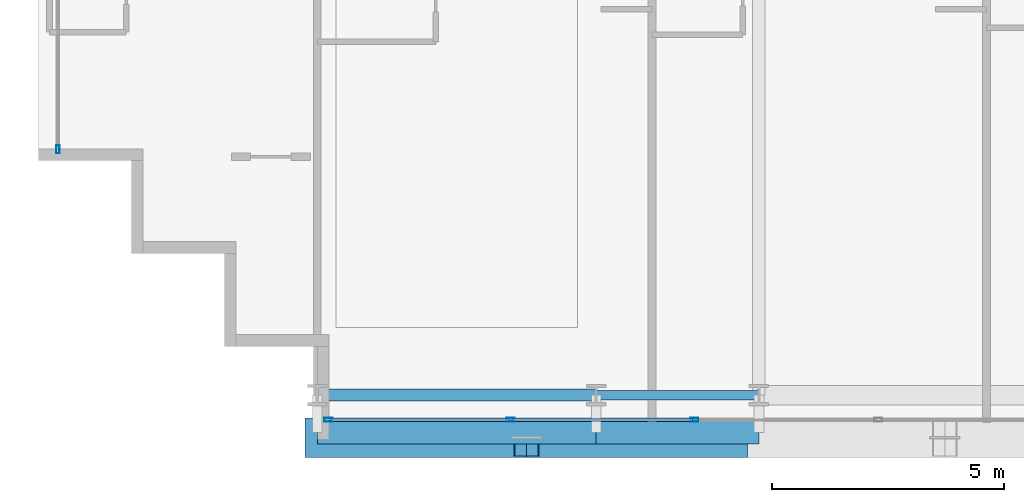
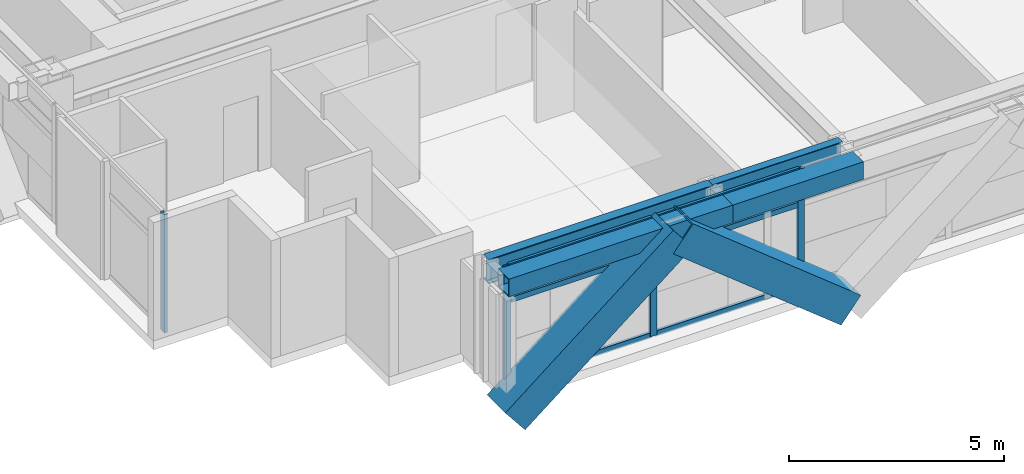
# One storey, part 2 of 35: 12 members, 4 beams, 2 elements without a shape of their own.
"""IFC4 building model written with IfcOpenShell, lengths in metres."""

from ifc_helpers import new_model, si_unit, direction, frame, origin, origin_2d, place, context, subcontext, project, spatial, hollow_rectangle, i_section, extrude, source, transform, mapped, material, layer, layer_set, material_profile, profile_set, type_object, element, aggregate, save


model = new_model("IFC4")

# Units and contexts
model_context = context("Model", 3, precision=1e-05, world=origin(), true_north=direction((0.0, 1.0)))
body_context = subcontext(model_context, "Body", "Model", "MODEL_VIEW")
ifc_project = project(units=[si_unit("LENGTHUNIT", "METRE"), si_unit("AREAUNIT", "SQUARE_METRE"), si_unit("VOLUMEUNIT", "CUBIC_METRE"), si_unit("PLANEANGLEUNIT", "RADIAN"), si_unit("MASSUNIT", "GRAM", prefix="KILO")], contexts=[model_context])

# Site, building, storey
site_placement = place(None, origin())
site = spatial("IfcSite", under=ifc_project, at=site_placement, CompositionType="ELEMENT")
building_placement = place(site_placement, origin())
building = spatial("IfcBuilding", under=site, at=building_placement, Name="Ocotamira Hotel", CompositionType="ELEMENT")
storey_placement = place(building_placement, frame((0.0, 0.0, 78.0)))
storey = spatial("IfcBuildingStorey", under=building, at=storey_placement, Name="L19", CompositionType="ELEMENT", Elevation=78.0)

# Beams
ifc_material_1 = material(Name="Steel ASTM A992 Grade 50", Category="steel")
ifc_material_profile_1 = material_profile(ifc_material_1, i_section(OverallWidth=0.256103515625, OverallDepth=0.693115234375, WebThickness=0.014404296875, FlangeThickness=0.023681640625, FilletRadius=0.01611328125, at=origin_2d()), Name="W27X114")
ifc_profile_set_1 = profile_set([ifc_material_profile_1], Name="Steel ASTM A992 Grade 50")
beam_type_1 = type_object("IfcBeamType", Name="BM-PRIM-W27X114", PredefinedType="BEAM", material=ifc_profile_set_1)
shared_shape_1 = source(origin(), body_context, "Body", "SweptSolid", [
    extrude(i_section(OverallWidth=0.256103515625, OverallDepth=0.693115234375, WebThickness=0.014404296875, FlangeThickness=0.023681640625, FilletRadius=0.01611328125, at=origin_2d()), origin(), (0.0, 0.0, 1.0), 6.0),
])
beam_1_placement = place(storey_placement, frame((14.0, 2.949951171875, 3.00341796875), z_axis=(1.0, 0.0, 0.0), x_axis=(0.0, 1.0, 0.0)))
element("IfcBeam", 1, at=beam_1_placement, inside=storey, type_object=beam_type_1, Name="L19 Girder Y2.95 X14-20", PredefinedType="BEAM", context=body_context, shape_type="MappedRepresentation", body=[
    mapped(shared_shape_1, transform((0.0, 0.0, 0.0), scale=1.0)),
])
ifc_material_profile_2 = material_profile(ifc_material_1, i_section(OverallWidth=0.2099609375, OverallDepth=0.537109375, WebThickness=0.010986328125, FlangeThickness=0.017333984375, FilletRadius=0.012939453125, at=origin_2d()), Name="W21X68")
ifc_profile_set_2 = profile_set([ifc_material_profile_2], Name="Steel ASTM A992 Grade 50")
beam_type_2 = type_object("IfcBeamType", Name="BM-SEC-W21X68", PredefinedType="JOIST", material=ifc_profile_set_2)
shared_shape_2 = source(origin(), body_context, "Body", "SweptSolid", [
    extrude(i_section(OverallWidth=0.2099609375, OverallDepth=0.537109375, WebThickness=0.010986328125, FlangeThickness=0.017333984375, FilletRadius=0.012939453125, at=origin_2d()), origin(), (0.0, 0.0, 1.0), 3.5),
])
beam_2_placement = place(storey_placement, frame((20.0, 2.949951171875, 3.08154296875), z_axis=(1.0, 0.0, 0.0), x_axis=(0.0, 1.0, 0.0)))
element("IfcBeam", 2, at=beam_2_placement, inside=storey, type_object=beam_type_2, Name="L19 Girder Y2.95 X20-23.5", PredefinedType="JOIST", context=body_context, shape_type="MappedRepresentation", body=[
    mapped(shared_shape_2, transform((0.0, 0.0, 0.0), scale=1.0)),
])
ifc_material_2 = material(Name="Steel ASTM A500 Grade C", Category="steel")
ifc_material_profile_3 = material_profile(ifc_material_2, hollow_rectangle(XDim=0.5, YDim=0.5, WallThickness=0.02001953125, at=origin_2d()), Name="HSS500X500X20")
ifc_profile_set_3 = profile_set([ifc_material_profile_3], Name="Steel ASTM A500 Grade C")
beam_type_3 = type_object("IfcBeamType", Name="BM-SPAN-HSS500", PredefinedType="USERDEFINED", material=ifc_profile_set_3)
shared_shape_3 = source(origin(), body_context, "Body", "SweptSolid", [
    extrude(hollow_rectangle(XDim=0.5, YDim=0.5, WallThickness=0.02001953125, at=origin_2d()), origin(), (0.0, 0.0, 1.0), 6.0),
])
beam_3_placement = place(storey_placement, frame((14.0, 2.14990234375, 3.10009765625), z_axis=(1.0, 0.0, 0.0), x_axis=(0.0, 1.0, 0.0)))
element("IfcBeam", 3, at=beam_3_placement, inside=storey, type_object=beam_type_3, Name="L19 Edge Spandrel S X14-20", ObjectType="SPANDREL", PredefinedType="USERDEFINED", context=body_context, shape_type="MappedRepresentation", body=[
    mapped(shared_shape_3, transform((0.0, 0.0, 0.0), scale=1.0)),
])
shared_shape_4 = source(origin(), body_context, "Body", "SweptSolid", [
    extrude(hollow_rectangle(XDim=0.5, YDim=0.5, WallThickness=0.02001953125, at=origin_2d()), origin(), (0.0, 0.0, 1.0), 3.5),
])
beam_4_placement = place(storey_placement, frame((20.0, 2.14990234375, 3.10009765625), z_axis=(1.0, 0.0, 0.0), x_axis=(0.0, 1.0, 0.0)))
element("IfcBeam", 4, at=beam_4_placement, inside=storey, type_object=beam_type_3, Name="L19 Edge Spandrel S X20-23.5", ObjectType="SPANDREL", PredefinedType="USERDEFINED", context=body_context, shape_type="MappedRepresentation", body=[
    mapped(shared_shape_4, transform((0.0, 0.0, 0.0), scale=1.0)),
])

# Members
ifc_material_3 = material(Name="Pale-metal coated steel ASTM A913 Grade 65", Category="steel")
ifc_material_profile_4 = material_profile(ifc_material_3, hollow_rectangle(XDim=0.85009765625, YDim=0.85009765625, WallThickness=0.035888671875, at=origin_2d()), Name="BOX850X850X36")
ifc_profile_set_4 = profile_set([ifc_material_profile_4], Name="Pale-metal coated steel ASTM A913 Grade 65")
member_type_1 = type_object("IfcMemberType", Name="MEM-EXO-BOX850", PredefinedType="BRACE", material=ifc_profile_set_4)
shared_shape_5 = source(origin(), body_context, "Body", "SweptSolid", [
    extrude(hollow_rectangle(XDim=0.85009765625, YDim=0.85009765625, WallThickness=0.035888671875, at=origin_2d()), origin(), (0.0, 0.0, 1.0), 5.762939453125),
])
for number, where, z_axis, x_axis, name in (
    (5, (14.0, 2.030029296875, -0.5), (0.780860543151, 0.0, 0.624705380279), (0.0, 1.0, 0.0), "L19 Exoskeleton Diagrid S0.1"),
    (6, (23.0, 2.030029296875, -0.5), (-0.780860543151, 0.0, 0.624705380279), (0.0, -1.0, 0.0), "L19 Exoskeleton Diagrid S0.2"),
):
    element("IfcMember", number, at=place(storey_placement, frame(where, z_axis=z_axis, x_axis=x_axis)), inside=storey, type_object=member_type_1, Name=name, PredefinedType="BRACE", context=body_context, shape_type="MappedRepresentation", body=[
        mapped(shared_shape_5, transform((0.0, 0.0, 0.0), scale=1.0)),
    ])

# Curtain wall, members
ifc_material_4 = material(Name="Anodised pale-metal aluminium and solar glass", Category="aluminium")
ifc_layer = layer(ifc_material_4, 0.179931640625)
ifc_layer_set = layer_set([ifc_layer], Name="Anodised pale-metal aluminium and solar glass")
curtain_wall_type = type_object("IfcCurtainWallType", Name="CW-SYS2-Z1", PredefinedType="NOTDEFINED", material=ifc_layer_set)
curtain_wall_1_placement = place(storey_placement, origin())
curtain_wall_1 = element("IfcCurtainWall", 7, at=curtain_wall_1_placement, inside=storey, type_object=curtain_wall_type, Name="L19 Curtain Wall CW-2 CW-L19-S1", PredefinedType="NOTDEFINED")
ifc_material_5 = material(Name="Anodised pale-metal aluminium 6063-T6", Category="aluminium")
ifc_material_profile_5 = material_profile(ifc_material_5, hollow_rectangle(XDim=0.074951171875, YDim=0.14990234375, WallThickness=0.006103515625, at=origin_2d()), Name="HSS150X75X6")
ifc_profile_set_5 = profile_set([ifc_material_profile_5], Name="Anodised pale-metal aluminium 6063-T6")
member_type_2 = type_object("IfcMemberType", Name="CWT-150X75", PredefinedType="USERDEFINED", material=ifc_profile_set_5)
shared_shape_6 = source(origin(), body_context, "Body", "SweptSolid", [
    extrude(hollow_rectangle(XDim=0.074951171875, YDim=0.14990234375, WallThickness=0.006103515625, at=origin_2d()), origin(), (0.0, 0.0, 1.0), 3.83544921875),
])
member_1_placement = place(storey_placement, frame((14.280029296875, 2.419921875, 0.03759765625), z_axis=(1.0, 0.0, 0.0), x_axis=(0.0, 1.0, 0.0)))
member_1 = element("IfcMember", 8, at=member_1_placement, type_object=member_type_2, Name="CW-2 transom 1.1", ObjectType="TRANSOM", PredefinedType="USERDEFINED", context=body_context, shape_type="MappedRepresentation", body=[
    mapped(shared_shape_6, transform((0.0, 0.0, 0.0), scale=1.0)),
])
member_2_placement = place(storey_placement, frame((14.280029296875, 2.419921875, 2.35009765625), z_axis=(1.0, 0.0, 0.0), x_axis=(0.0, 1.0, 0.0)))
member_2 = element("IfcMember", 9, at=member_2_placement, type_object=member_type_2, Name="CW-2 transom 1.2", ObjectType="TRANSOM", PredefinedType="USERDEFINED", context=body_context, shape_type="MappedRepresentation", body=[
    mapped(shared_shape_6, transform((0.0, 0.0, 0.0), scale=1.0)),
])
member_3_placement = place(storey_placement, frame((14.280029296875, 2.419921875, 3.3125), z_axis=(1.0, 0.0, 0.0), x_axis=(0.0, 1.0, 0.0)))
member_3 = element("IfcMember", 10, at=member_3_placement, type_object=member_type_2, Name="CW-2 transom 1.3", ObjectType="TRANSOM", PredefinedType="USERDEFINED", context=body_context, shape_type="MappedRepresentation", body=[
    mapped(shared_shape_6, transform((0.0, 0.0, 0.0), scale=1.0)),
])
shared_shape_7 = source(origin(), body_context, "Body", "SweptSolid", [
    extrude(hollow_rectangle(XDim=0.074951171875, YDim=0.14990234375, WallThickness=0.006103515625, at=origin_2d()), origin(), (0.0, 0.0, 1.0), 3.87548828125),
])
member_4_placement = place(storey_placement, frame((18.195556640625, 2.419921875, 0.03759765625), z_axis=(1.0, 0.0, 0.0), x_axis=(0.0, 1.0, 0.0)))
member_4 = element("IfcMember", 11, at=member_4_placement, type_object=member_type_2, Name="CW-2 transom 2.1", ObjectType="TRANSOM", PredefinedType="USERDEFINED", context=body_context, shape_type="MappedRepresentation", body=[
    mapped(shared_shape_7, transform((0.0, 0.0, 0.0), scale=1.0)),
])
member_5_placement = place(storey_placement, frame((18.195556640625, 2.419921875, 2.35009765625), z_axis=(1.0, 0.0, 0.0), x_axis=(0.0, 1.0, 0.0)))
member_5 = element("IfcMember", 12, at=member_5_placement, type_object=member_type_2, Name="CW-2 transom 2.2", ObjectType="TRANSOM", PredefinedType="USERDEFINED", context=body_context, shape_type="MappedRepresentation", body=[
    mapped(shared_shape_7, transform((0.0, 0.0, 0.0), scale=1.0)),
])
member_6_placement = place(storey_placement, frame((18.195556640625, 2.419921875, 3.3125), z_axis=(1.0, 0.0, 0.0), x_axis=(0.0, 1.0, 0.0)))
member_6 = element("IfcMember", 13, at=member_6_placement, type_object=member_type_2, Name="CW-2 transom 2.3", ObjectType="TRANSOM", PredefinedType="USERDEFINED", context=body_context, shape_type="MappedRepresentation", body=[
    mapped(shared_shape_7, transform((0.0, 0.0, 0.0), scale=1.0)),
])
ifc_material_profile_6 = material_profile(ifc_material_5, hollow_rectangle(XDim=0.080078125, YDim=0.179931640625, WallThickness=0.006103515625, at=origin_2d()), Name="HSS180X80X6")
ifc_profile_set_6 = profile_set([ifc_material_profile_6], Name="Anodised pale-metal aluminium 6063-T6")
member_type_3 = type_object("IfcMemberType", Name="CWM-180X75", PredefinedType="MULLION", material=ifc_profile_set_6)
shared_shape_8 = source(origin(), body_context, "Body", "SweptSolid", [
    extrude(hollow_rectangle(XDim=0.080078125, YDim=0.179931640625, WallThickness=0.006103515625, at=origin_2d()), origin(), (0.0, 0.0, 1.0), 3.35009765625),
])
member_7_placement = place(storey_placement, frame((14.239990234375, 2.419921875, 0.0), z_axis=(0.0, 0.0, 1.0), x_axis=(0.0, 1.0, 0.0)))
member_7 = element("IfcMember", 14, at=member_7_placement, type_object=member_type_3, Name="CW-2 mullion 1", PredefinedType="MULLION", context=body_context, shape_type="MappedRepresentation", body=[
    mapped(shared_shape_8, transform((0.0, 0.0, 0.0), scale=1.0)),
])
member_8_placement = place(storey_placement, frame((18.155517578125, 2.419921875, 0.0), z_axis=(0.0, 0.0, 1.0), x_axis=(0.0, 1.0, 0.0)))
member_8 = element("IfcMember", 15, at=member_8_placement, type_object=member_type_3, Name="CW-2 mullion 2", PredefinedType="MULLION", context=body_context, shape_type="MappedRepresentation", body=[
    mapped(shared_shape_8, transform((0.0, 0.0, 0.0), scale=1.0)),
])
member_9_placement = place(storey_placement, frame((22.111083984375, 2.419921875, 0.0), z_axis=(0.0, 0.0, 1.0), x_axis=(0.0, 1.0, 0.0)))
member_9 = element("IfcMember", 16, at=member_9_placement, type_object=member_type_3, Name="CW-2 mullion 3", PredefinedType="MULLION", context=body_context, shape_type="MappedRepresentation", body=[
    mapped(shared_shape_8, transform((0.0, 0.0, 0.0), scale=1.0)),
])
aggregate(curtain_wall_1, [member_7, member_8, member_9, member_1, member_2, member_3, member_4, member_5, member_6])

# Curtain wall, member
curtain_wall_2_placement = place(storey_placement, origin())
curtain_wall_2 = element("IfcCurtainWall", 17, at=curtain_wall_2_placement, inside=storey, type_object=curtain_wall_type, Name="L19 Curtain Wall CW-2 CW-L19-W", PredefinedType="NOTDEFINED")
member_10_placement = place(storey_placement, frame((8.419921875, 8.239990234375, 0.0), z_axis=(0.0, 0.0, 1.0), x_axis=(-1.0, 0.0, 0.0)))
member_10 = element("IfcMember", 18, at=member_10_placement, type_object=member_type_3, Name="CW-2 mullion 1", PredefinedType="MULLION", context=body_context, shape_type="MappedRepresentation", body=[
    mapped(shared_shape_8, transform((0.0, 0.0, 0.0), scale=1.0)),
])
aggregate(curtain_wall_2, [member_10])

save(model, "model.ifc")
